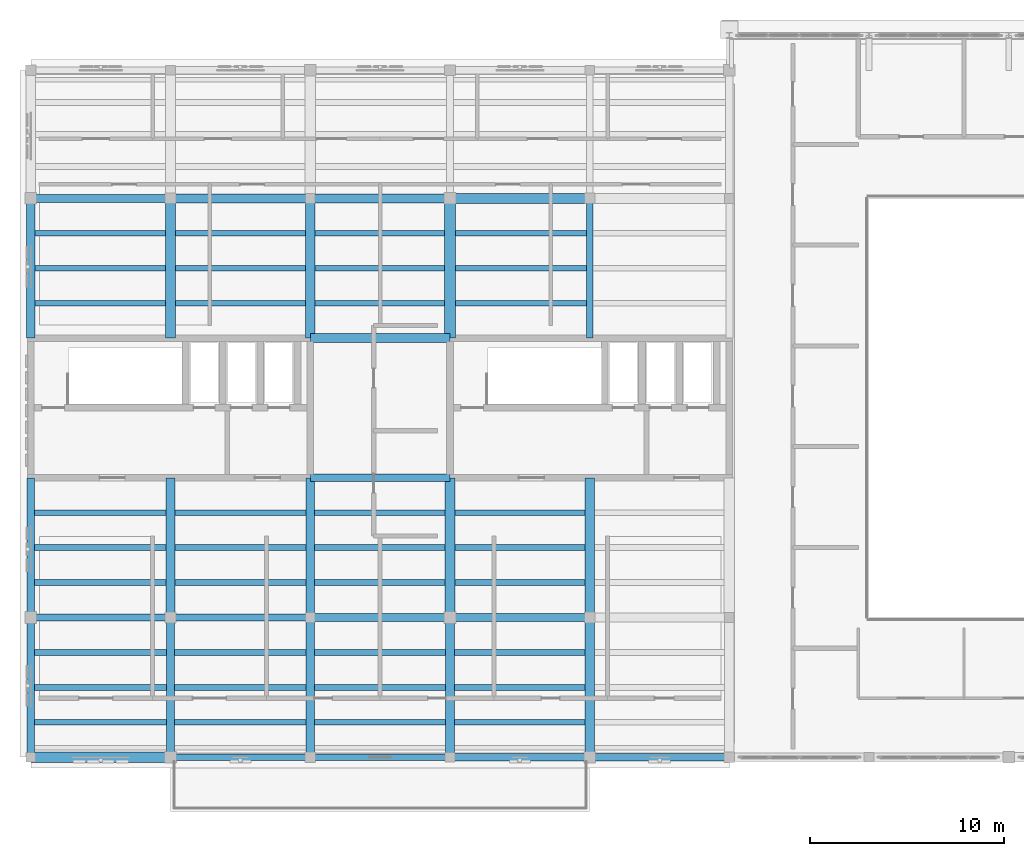
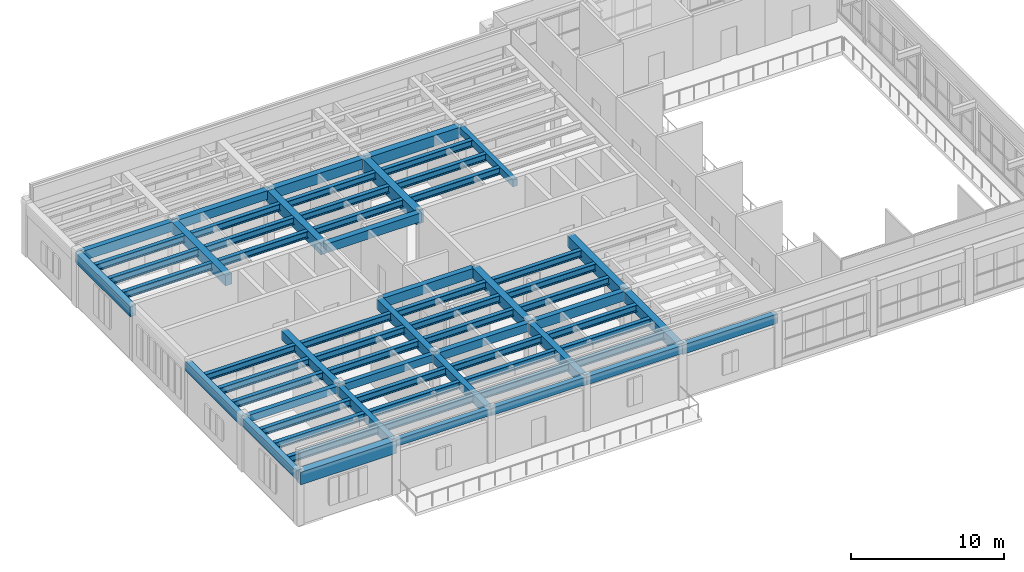
# One storey, part 5 of 18: 66 beams.
"""IFC4 building model written with IfcOpenShell, lengths in metres."""

from ifc_helpers import new_model, si_unit, direction, frame, origin, origin_2d, place, context, subcontext, project, spatial, rectangle, i_section, extrude, material, material_profile, profile_set, type_object, element, save


model = new_model("IFC4")

# Units and contexts
model_context = context("Model", 3, precision=1e-05, world=origin(), true_north=direction((0.0, 1.0)))
body_context = subcontext(model_context, "Body", "Model", "MODEL_VIEW")
ifc_project = project(units=[si_unit("LENGTHUNIT", "METRE"), si_unit("AREAUNIT", "SQUARE_METRE"), si_unit("VOLUMEUNIT", "CUBIC_METRE"), si_unit("PLANEANGLEUNIT", "RADIAN"), si_unit("MASSUNIT", "GRAM", prefix="KILO")], contexts=[model_context])

# Site, building, storey
site_placement = place(None, origin())
site = spatial("IfcSite", under=ifc_project, at=site_placement, CompositionType="ELEMENT")
building_placement = place(site_placement, origin())
building = spatial("IfcBuilding", under=site, at=building_placement, Name="Mithqara Police Headquarters", CompositionType="ELEMENT")
storey_placement = place(building_placement, frame((0.0, 0.0, 30.89990234375)))
storey = spatial("IfcBuildingStorey", under=building, at=storey_placement, Name="L07", CompositionType="ELEMENT", Elevation=30.89990234375)

# Beams
ifc_material_1 = material(Name="Steel S355JR", Category="steel")
ifc_material_profile_1 = material_profile(ifc_material_1, i_section(OverallWidth=0.300048828125, OverallDepth=0.550048828125, WebThickness=0.014892578125, FlangeThickness=0.029052734375, FilletRadius=0.027099609375, at=origin_2d()), Name="HEB 550")
ifc_profile_set_1 = profile_set([ifc_material_profile_1], Name="Steel S355JR")
beam_type_1 = type_object("IfcBeamType", Name="BEAM HEB550", PredefinedType="BEAM", material=ifc_profile_set_1)
for number, where, z_axis, x_axis, name in (
    (1, (108.800048828125, 80.39990234375, 3.97509765625), (1.0, 0.0, 0.0), (0.0, 1.0, 0.0), "L07 Composite Steel Joist 16-17/M.1"),
    (2, (108.800048828125, 82.199951171875, 3.97509765625), (1.0, 0.0, 0.0), (0.0, 1.0, 0.0), "L07 Composite Steel Joist 16-17/M.2"),
    (3, (108.800048828125, 84.0, 3.97509765625), (1.0, 0.0, 0.0), (0.0, 1.0, 0.0), "L07 Composite Steel Joist 16-17/M.3"),
):
    element("IfcBeam", number, at=place(storey_placement, frame(where, z_axis=z_axis, x_axis=x_axis)), inside=storey, type_object=beam_type_1, Name=name, PredefinedType="BEAM", context=body_context, shape_type="SweptSolid", body=[
        extrude(i_section(OverallWidth=0.300048828125, OverallDepth=0.550048828125, WebThickness=0.014892578125, FlangeThickness=0.029052734375, FilletRadius=0.027099609375, at=origin_2d()), origin(), (0.0, 0.0, 1.0), 6.800048828125),
    ])
for number, where, z_axis, x_axis, name in (
    (4, (108.800048828125, 87.60009765625, 3.97509765625), (1.0, 0.0, 0.0), (0.0, 1.0, 0.0), "L07 Composite Steel Joist 16-17/N.1"),
    (5, (108.800048828125, 89.39990234375, 3.97509765625), (1.0, 0.0, 0.0), (0.0, 1.0, 0.0), "L07 Composite Steel Joist 16-17/N.2"),
    (6, (108.800048828125, 91.199951171875, 3.97509765625), (1.0, 0.0, 0.0), (0.0, 1.0, 0.0), "L07 Composite Steel Joist 16-17/N.3"),
):
    element("IfcBeam", number, at=place(storey_placement, frame(where, z_axis=z_axis, x_axis=x_axis)), inside=storey, type_object=beam_type_1, Name=name, PredefinedType="BEAM", context=body_context, shape_type="SweptSolid", body=[
        extrude(i_section(OverallWidth=0.300048828125, OverallDepth=0.550048828125, WebThickness=0.014892578125, FlangeThickness=0.029052734375, FilletRadius=0.027099609375, at=origin_2d()), origin(), (0.0, 0.0, 1.0), 6.77490234375),
    ])
for number, where, z_axis, x_axis, name in (
    (7, (108.824951171875, 102.0, 3.97509765625), (1.0, 0.0, 0.0), (0.0, 1.0, 0.0), "L07 Composite Steel Joist 16-17/Q.1"),
    (8, (108.824951171875, 103.800048828125, 3.97509765625), (1.0, 0.0, 0.0), (0.0, 1.0, 0.0), "L07 Composite Steel Joist 16-17/Q.2"),
    (9, (108.824951171875, 105.60009765625, 3.97509765625), (1.0, 0.0, 0.0), (0.0, 1.0, 0.0), "L07 Composite Steel Joist 16-17/Q.3"),
):
    element("IfcBeam", number, at=place(storey_placement, frame(where, z_axis=z_axis, x_axis=x_axis)), inside=storey, type_object=beam_type_1, Name=name, PredefinedType="BEAM", context=body_context, shape_type="SweptSolid", body=[
        extrude(i_section(OverallWidth=0.300048828125, OverallDepth=0.550048828125, WebThickness=0.014892578125, FlangeThickness=0.029052734375, FilletRadius=0.027099609375, at=origin_2d()), origin(), (0.0, 0.0, 1.0), 6.72509765625),
    ])
for number, where, z_axis, x_axis, name in (
    (10, (116.0, 80.39990234375, 3.97509765625), (1.0, 0.0, 0.0), (0.0, 1.0, 0.0), "L07 Composite Steel Joist 17-18/M.1"),
    (11, (116.0, 82.199951171875, 3.97509765625), (1.0, 0.0, 0.0), (0.0, 1.0, 0.0), "L07 Composite Steel Joist 17-18/M.2"),
    (12, (116.0, 84.0, 3.97509765625), (1.0, 0.0, 0.0), (0.0, 1.0, 0.0), "L07 Composite Steel Joist 17-18/M.3"),
):
    element("IfcBeam", number, at=place(storey_placement, frame(where, z_axis=z_axis, x_axis=x_axis)), inside=storey, type_object=beam_type_1, Name=name, PredefinedType="BEAM", context=body_context, shape_type="SweptSolid", body=[
        extrude(i_section(OverallWidth=0.300048828125, OverallDepth=0.550048828125, WebThickness=0.014892578125, FlangeThickness=0.029052734375, FilletRadius=0.027099609375, at=origin_2d()), origin(), (0.0, 0.0, 1.0), 6.77490234375),
    ])
for number, where, z_axis, x_axis, name in (
    (13, (116.02490234375, 87.60009765625, 3.97509765625), (1.0, 0.0, 0.0), (0.0, 1.0, 0.0), "L07 Composite Steel Joist 17-18/N.1"),
    (14, (116.02490234375, 89.39990234375, 3.97509765625), (1.0, 0.0, 0.0), (0.0, 1.0, 0.0), "L07 Composite Steel Joist 17-18/N.2"),
    (15, (116.02490234375, 91.199951171875, 3.97509765625), (1.0, 0.0, 0.0), (0.0, 1.0, 0.0), "L07 Composite Steel Joist 17-18/N.3"),
):
    element("IfcBeam", number, at=place(storey_placement, frame(where, z_axis=z_axis, x_axis=x_axis)), inside=storey, type_object=beam_type_1, Name=name, PredefinedType="BEAM", context=body_context, shape_type="SweptSolid", body=[
        extrude(i_section(OverallWidth=0.300048828125, OverallDepth=0.550048828125, WebThickness=0.014892578125, FlangeThickness=0.029052734375, FilletRadius=0.027099609375, at=origin_2d()), origin(), (0.0, 0.0, 1.0), 6.75),
    ])
for number, where, z_axis, x_axis, name in (
    (16, (116.050048828125, 102.0, 3.97509765625), (1.0, 0.0, 0.0), (0.0, 1.0, 0.0), "L07 Composite Steel Joist 17-18/Q.1"),
    (17, (116.050048828125, 103.800048828125, 3.97509765625), (1.0, 0.0, 0.0), (0.0, 1.0, 0.0), "L07 Composite Steel Joist 17-18/Q.2"),
    (18, (116.050048828125, 105.60009765625, 3.97509765625), (1.0, 0.0, 0.0), (0.0, 1.0, 0.0), "L07 Composite Steel Joist 17-18/Q.3"),
):
    element("IfcBeam", number, at=place(storey_placement, frame(where, z_axis=z_axis, x_axis=x_axis)), inside=storey, type_object=beam_type_1, Name=name, PredefinedType="BEAM", context=body_context, shape_type="SweptSolid", body=[
        extrude(i_section(OverallWidth=0.300048828125, OverallDepth=0.550048828125, WebThickness=0.014892578125, FlangeThickness=0.029052734375, FilletRadius=0.027099609375, at=origin_2d()), origin(), (0.0, 0.0, 1.0), 6.699951171875),
    ])
for number, where, z_axis, x_axis, name in (
    (19, (123.22509765625, 80.39990234375, 3.97509765625), (1.0, 0.0, 0.0), (0.0, 1.0, 0.0), "L07 Composite Steel Joist 18-19/M.1"),
    (20, (123.22509765625, 82.199951171875, 3.97509765625), (1.0, 0.0, 0.0), (0.0, 1.0, 0.0), "L07 Composite Steel Joist 18-19/M.2"),
    (21, (123.22509765625, 84.0, 3.97509765625), (1.0, 0.0, 0.0), (0.0, 1.0, 0.0), "L07 Composite Steel Joist 18-19/M.3"),
):
    element("IfcBeam", number, at=place(storey_placement, frame(where, z_axis=z_axis, x_axis=x_axis)), inside=storey, type_object=beam_type_1, Name=name, PredefinedType="BEAM", context=body_context, shape_type="SweptSolid", body=[
        extrude(i_section(OverallWidth=0.300048828125, OverallDepth=0.550048828125, WebThickness=0.014892578125, FlangeThickness=0.029052734375, FilletRadius=0.027099609375, at=origin_2d()), origin(), (0.0, 0.0, 1.0), 6.75),
    ])
for number, where, z_axis, x_axis, name in (
    (22, (123.22509765625, 87.60009765625, 3.97509765625), (1.0, 0.0, 0.0), (0.0, 1.0, 0.0), "L07 Composite Steel Joist 18-19/N.1"),
    (23, (123.22509765625, 89.39990234375, 3.97509765625), (1.0, 0.0, 0.0), (0.0, 1.0, 0.0), "L07 Composite Steel Joist 18-19/N.2"),
    (24, (123.22509765625, 91.199951171875, 3.97509765625), (1.0, 0.0, 0.0), (0.0, 1.0, 0.0), "L07 Composite Steel Joist 18-19/N.3"),
):
    element("IfcBeam", number, at=place(storey_placement, frame(where, z_axis=z_axis, x_axis=x_axis)), inside=storey, type_object=beam_type_1, Name=name, PredefinedType="BEAM", context=body_context, shape_type="SweptSolid", body=[
        extrude(i_section(OverallWidth=0.300048828125, OverallDepth=0.550048828125, WebThickness=0.014892578125, FlangeThickness=0.029052734375, FilletRadius=0.027099609375, at=origin_2d()), origin(), (0.0, 0.0, 1.0), 6.724853515625),
    ])
for number, where, z_axis, x_axis, name in (
    (25, (123.25, 102.0, 3.97509765625), (1.0, 0.0, 0.0), (0.0, 1.0, 0.0), "L07 Composite Steel Joist 18-19/Q.1"),
    (26, (123.25, 103.800048828125, 3.97509765625), (1.0, 0.0, 0.0), (0.0, 1.0, 0.0), "L07 Composite Steel Joist 18-19/Q.2"),
    (27, (123.25, 105.60009765625, 3.97509765625), (1.0, 0.0, 0.0), (0.0, 1.0, 0.0), "L07 Composite Steel Joist 18-19/Q.3"),
):
    element("IfcBeam", number, at=place(storey_placement, frame(where, z_axis=z_axis, x_axis=x_axis)), inside=storey, type_object=beam_type_1, Name=name, PredefinedType="BEAM", context=body_context, shape_type="SweptSolid", body=[
        extrude(i_section(OverallWidth=0.300048828125, OverallDepth=0.550048828125, WebThickness=0.014892578125, FlangeThickness=0.029052734375, FilletRadius=0.027099609375, at=origin_2d()), origin(), (0.0, 0.0, 1.0), 6.675048828125),
    ])
for number, where, z_axis, x_axis, name in (
    (28, (130.425048828125, 80.39990234375, 3.97509765625), (1.0, 0.0, 0.0), (0.0, 1.0, 0.0), "L07 Composite Steel Joist 19-20/M.1"),
    (29, (130.425048828125, 82.199951171875, 3.97509765625), (1.0, 0.0, 0.0), (0.0, 1.0, 0.0), "L07 Composite Steel Joist 19-20/M.2"),
    (30, (130.425048828125, 84.0, 3.97509765625), (1.0, 0.0, 0.0), (0.0, 1.0, 0.0), "L07 Composite Steel Joist 19-20/M.3"),
):
    element("IfcBeam", number, at=place(storey_placement, frame(where, z_axis=z_axis, x_axis=x_axis)), inside=storey, type_object=beam_type_1, Name=name, PredefinedType="BEAM", context=body_context, shape_type="SweptSolid", body=[
        extrude(i_section(OverallWidth=0.300048828125, OverallDepth=0.550048828125, WebThickness=0.014892578125, FlangeThickness=0.029052734375, FilletRadius=0.027099609375, at=origin_2d()), origin(), (0.0, 0.0, 1.0), 6.724853515625),
    ])
for number, where, z_axis, x_axis, name in (
    (31, (130.449951171875, 87.60009765625, 3.97509765625), (1.0, 0.0, 0.0), (0.0, 1.0, 0.0), "L07 Composite Steel Joist 19-20/N.1"),
    (32, (130.449951171875, 89.39990234375, 3.97509765625), (1.0, 0.0, 0.0), (0.0, 1.0, 0.0), "L07 Composite Steel Joist 19-20/N.2"),
    (33, (130.449951171875, 91.199951171875, 3.97509765625), (1.0, 0.0, 0.0), (0.0, 1.0, 0.0), "L07 Composite Steel Joist 19-20/N.3"),
):
    element("IfcBeam", number, at=place(storey_placement, frame(where, z_axis=z_axis, x_axis=x_axis)), inside=storey, type_object=beam_type_1, Name=name, PredefinedType="BEAM", context=body_context, shape_type="SweptSolid", body=[
        extrude(i_section(OverallWidth=0.300048828125, OverallDepth=0.550048828125, WebThickness=0.014892578125, FlangeThickness=0.029052734375, FilletRadius=0.027099609375, at=origin_2d()), origin(), (0.0, 0.0, 1.0), 6.699951171875),
    ])
for number, where, z_axis, x_axis, name in (
    (34, (130.47509765625, 102.0, 3.97509765625), (1.0, 0.0, 0.0), (0.0, 1.0, 0.0), "L07 Composite Steel Joist 19-20/Q.1"),
    (35, (130.47509765625, 103.800048828125, 3.97509765625), (1.0, 0.0, 0.0), (0.0, 1.0, 0.0), "L07 Composite Steel Joist 19-20/Q.2"),
    (36, (130.47509765625, 105.60009765625, 3.97509765625), (1.0, 0.0, 0.0), (0.0, 1.0, 0.0), "L07 Composite Steel Joist 19-20/Q.3"),
):
    element("IfcBeam", number, at=place(storey_placement, frame(where, z_axis=z_axis, x_axis=x_axis)), inside=storey, type_object=beam_type_1, Name=name, PredefinedType="BEAM", context=body_context, shape_type="SweptSolid", body=[
        extrude(i_section(OverallWidth=0.300048828125, OverallDepth=0.550048828125, WebThickness=0.014892578125, FlangeThickness=0.029052734375, FilletRadius=0.027099609375, at=origin_2d()), origin(), (0.0, 0.0, 1.0), 6.75),
    ])
ifc_material_2 = material(Name="Concrete C40/50", Category="concrete")
ifc_material_profile_2 = material_profile(ifc_material_2, rectangle(XDim=0.35009765625, YDim=0.550048828125, at=origin_2d()), Name="RC 350x550")
ifc_profile_set_2 = profile_set([ifc_material_profile_2], Name="Concrete C40/50")
beam_type_2 = type_object("IfcBeamType", Name="BEAM RC350X550", PredefinedType="BEAM", material=ifc_profile_set_2)
for number, where, z_axis, x_axis, name in (
    (37, (108.60009765625, 85.800048828125, 3.97509765625), (1.0, 0.0, 0.0), (0.0, 1.0, 0.0), "L07 Girder 16-17/N"),
    (38, (115.800048828125, 78.60009765625, 3.97509765625), (1.0, 0.0, 0.0), (0.0, 1.0, 0.0), "L07 Girder 17-18/M"),
    (39, (137.39990234375, 100.199951171875, 3.97509765625), (0.0, 1.0, 0.0), (-1.0, 0.0, 0.0), "L07 Girder 20/Q-R"),
):
    element("IfcBeam", number, at=place(storey_placement, frame(where, z_axis=z_axis, x_axis=x_axis)), inside=storey, type_object=beam_type_2, Name=name, PredefinedType="BEAM", context=body_context, shape_type="SweptSolid", body=[
        extrude(rectangle(XDim=0.35009765625, YDim=0.550048828125, at=origin_2d()), origin(), (0.0, 0.0, 1.0), 7.199951171875),
    ])
ifc_material_profile_3 = material_profile(ifc_material_2, rectangle(XDim=0.35009765625, YDim=0.60009765625, at=origin_2d()), Name="RC 350x600")
ifc_profile_set_3 = profile_set([ifc_material_profile_3], Name="Concrete C40/50")
beam_type_3 = type_object("IfcBeamType", Name="BEAM RC350X600", PredefinedType="BEAM", material=ifc_profile_set_3)
for number, where, z_axis, x_axis, name in (
    (40, (115.800048828125, 85.800048828125, 3.9501953125), (1.0, 0.0, 0.0), (0.0, 1.0, 0.0), "L07 Girder 17-18/N"),
    (41, (123.0, 78.60009765625, 3.9501953125), (1.0, 0.0, 0.0), (0.0, 1.0, 0.0), "L07 Girder 18-19/M"),
):
    element("IfcBeam", number, at=place(storey_placement, frame(where, z_axis=z_axis, x_axis=x_axis)), inside=storey, type_object=beam_type_3, Name=name, PredefinedType="BEAM", context=body_context, shape_type="SweptSolid", body=[
        extrude(rectangle(XDim=0.35009765625, YDim=0.60009765625, at=origin_2d()), origin(), (0.0, 0.0, 1.0), 7.199951171875),
    ])
ifc_material_profile_4 = material_profile(ifc_material_2, rectangle(XDim=0.39990234375, YDim=0.64990234375, at=origin_2d()), Name="RC 400x650")
ifc_profile_set_4 = profile_set([ifc_material_profile_4], Name="Concrete C40/50")
beam_type_4 = type_object("IfcBeamType", Name="BEAM RC400X650", PredefinedType="BEAM", material=ifc_profile_set_4)
for number, where, z_axis, x_axis, name in (
    (42, (108.60009765625, 78.60009765625, 3.925048828125), (0.0, 1.0, 0.0), (-1.0, 0.0, 0.0), "L07 Girder 16/M-N"),
    (43, (123.0, 85.800048828125, 3.925048828125), (1.0, 0.0, 0.0), (0.0, 1.0, 0.0), "L07 Girder 18-19/N"),
    (44, (130.199951171875, 78.60009765625, 3.925048828125), (1.0, 0.0, 0.0), (0.0, 1.0, 0.0), "L07 Girder 19-20/M"),
):
    element("IfcBeam", number, at=place(storey_placement, frame(where, z_axis=z_axis, x_axis=x_axis)), inside=storey, type_object=beam_type_4, Name=name, PredefinedType="BEAM", context=body_context, shape_type="SweptSolid", body=[
        extrude(rectangle(XDim=0.39990234375, YDim=0.64990234375, at=origin_2d()), origin(), (0.0, 0.0, 1.0), 7.199951171875),
    ])
ifc_material_profile_5 = material_profile(ifc_material_2, rectangle(XDim=0.39990234375, YDim=0.75, at=origin_2d()), Name="RC 400x750")
ifc_profile_set_5 = profile_set([ifc_material_profile_5], Name="Concrete C40/50")
beam_type_5 = type_object("IfcBeamType", Name="BEAM RC400X750", PredefinedType="BEAM", material=ifc_profile_set_5)
for number, where, z_axis, x_axis, name in (
    (45, (108.60009765625, 85.800048828125, 3.875), (0.0, 1.0, 0.0), (-1.0, 0.0, 0.0), "L07 Girder 16/N-P"),
    (46, (108.60009765625, 107.39990234375, 3.875), (1.0, 0.0, 0.0), (0.0, 1.0, 0.0), "L07 Girder 16-17/R"),
    (47, (115.800048828125, 78.60009765625, 3.875), (0.0, 1.0, 0.0), (-1.0, 0.0, 0.0), "L07 Girder 17/M-N"),
    (48, (123.0, 93.0, 3.875), (1.0, 0.0, 0.0), (0.0, 1.0, 0.0), "L07 Girder 18-19/P"),
    (49, (130.199951171875, 85.800048828125, 3.875), (1.0, 0.0, 0.0), (0.0, 1.0, 0.0), "L07 Girder 19-20/N"),
):
    element("IfcBeam", number, at=place(storey_placement, frame(where, z_axis=z_axis, x_axis=x_axis)), inside=storey, type_object=beam_type_5, Name=name, PredefinedType="BEAM", context=body_context, shape_type="SweptSolid", body=[
        extrude(rectangle(XDim=0.39990234375, YDim=0.75, at=origin_2d()), origin(), (0.0, 0.0, 1.0), 7.199951171875),
    ])
beam_placement = place(storey_placement, frame((137.39990234375, 78.60009765625, 3.875), z_axis=(1.0, 0.0, 0.0), x_axis=(0.0, 1.0, 0.0)))
element("IfcBeam", 50, at=beam_placement, inside=storey, type_object=beam_type_5, Name="L07 Girder 20-21/M", PredefinedType="BEAM", context=body_context, shape_type="SweptSolid", body=[
    extrude(rectangle(XDim=0.39990234375, YDim=0.75, at=origin_2d()), origin(), (0.0, 0.0, 1.0), 7.2001953125),
])
ifc_material_profile_6 = material_profile(ifc_material_2, rectangle(XDim=0.449951171875, YDim=0.699951171875, at=origin_2d()), Name="RC 450x700")
ifc_profile_set_6 = profile_set([ifc_material_profile_6], Name="Concrete C40/50")
beam_type_6 = type_object("IfcBeamType", Name="BEAM RC450X700", PredefinedType="BEAM", material=ifc_profile_set_6)
for number, where, z_axis, x_axis, name in (
    (51, (115.800048828125, 85.800048828125, 3.900146484375), (0.0, 1.0, 0.0), (-1.0, 0.0, 0.0), "L07 Girder 17/N-P"),
    (52, (115.800048828125, 107.39990234375, 3.900146484375), (1.0, 0.0, 0.0), (0.0, 1.0, 0.0), "L07 Girder 17-18/R"),
    (53, (123.0, 78.60009765625, 3.900146484375), (0.0, 1.0, 0.0), (-1.0, 0.0, 0.0), "L07 Girder 18/M-N"),
    (54, (123.0, 100.199951171875, 3.900146484375), (1.0, 0.0, 0.0), (0.0, 1.0, 0.0), "L07 Girder 18-19/Q"),
):
    element("IfcBeam", number, at=place(storey_placement, frame(where, z_axis=z_axis, x_axis=x_axis)), inside=storey, type_object=beam_type_6, Name=name, PredefinedType="BEAM", context=body_context, shape_type="SweptSolid", body=[
        extrude(rectangle(XDim=0.449951171875, YDim=0.699951171875, at=origin_2d()), origin(), (0.0, 0.0, 1.0), 7.199951171875),
    ])
ifc_material_profile_7 = material_profile(ifc_material_2, rectangle(XDim=0.449951171875, YDim=0.800048828125, at=origin_2d()), Name="RC 450x800")
ifc_profile_set_7 = profile_set([ifc_material_profile_7], Name="Concrete C40/50")
beam_type_7 = type_object("IfcBeamType", Name="BEAM RC450X800", PredefinedType="BEAM", material=ifc_profile_set_7)
for number, where, z_axis, x_axis, name in (
    (55, (108.60009765625, 100.199951171875, 3.85009765625), (0.0, 1.0, 0.0), (-1.0, 0.0, 0.0), "L07 Girder 16/Q-R"),
    (56, (123.0, 85.800048828125, 3.85009765625), (0.0, 1.0, 0.0), (-1.0, 0.0, 0.0), "L07 Girder 18/N-P"),
    (57, (123.0, 107.39990234375, 3.85009765625), (1.0, 0.0, 0.0), (0.0, 1.0, 0.0), "L07 Girder 18-19/R"),
    (58, (130.199951171875, 78.60009765625, 3.85009765625), (0.0, 1.0, 0.0), (-1.0, 0.0, 0.0), "L07 Girder 19/M-N"),
):
    element("IfcBeam", number, at=place(storey_placement, frame(where, z_axis=z_axis, x_axis=x_axis)), inside=storey, type_object=beam_type_7, Name=name, PredefinedType="BEAM", context=body_context, shape_type="SweptSolid", body=[
        extrude(rectangle(XDim=0.449951171875, YDim=0.800048828125, at=origin_2d()), origin(), (0.0, 0.0, 1.0), 7.199951171875),
    ])
ifc_material_profile_8 = material_profile(ifc_material_2, rectangle(XDim=0.5, YDim=0.85009765625, at=origin_2d()), Name="RC 500x850")
ifc_profile_set_8 = profile_set([ifc_material_profile_8], Name="Concrete C40/50")
beam_type_8 = type_object("IfcBeamType", Name="BEAM RC500X850", PredefinedType="BEAM", material=ifc_profile_set_8)
for number, where, z_axis, x_axis, name in (
    (59, (115.800048828125, 100.199951171875, 3.8251953125), (0.0, 1.0, 0.0), (-1.0, 0.0, 0.0), "L07 Girder 17/Q-R"),
    (60, (130.199951171875, 85.800048828125, 3.8251953125), (0.0, 1.0, 0.0), (-1.0, 0.0, 0.0), "L07 Girder 19/N-P"),
    (61, (130.199951171875, 107.39990234375, 3.8251953125), (1.0, 0.0, 0.0), (0.0, 1.0, 0.0), "L07 Girder 19-20/R"),
    (62, (137.39990234375, 78.60009765625, 3.8251953125), (0.0, 1.0, 0.0), (-1.0, 0.0, 0.0), "L07 Girder 20/M-N"),
):
    element("IfcBeam", number, at=place(storey_placement, frame(where, z_axis=z_axis, x_axis=x_axis)), inside=storey, type_object=beam_type_8, Name=name, PredefinedType="BEAM", context=body_context, shape_type="SweptSolid", body=[
        extrude(rectangle(XDim=0.5, YDim=0.85009765625, at=origin_2d()), origin(), (0.0, 0.0, 1.0), 7.199951171875),
    ])
ifc_material_3 = material(Name="Concrete C50/60", Category="concrete")
ifc_material_profile_9 = material_profile(ifc_material_3, rectangle(XDim=0.5, YDim=0.89990234375, at=origin_2d()), Name="RC 500x900")
ifc_profile_set_9 = profile_set([ifc_material_profile_9], Name="Concrete C50/60")
beam_type_9 = type_object("IfcBeamType", Name="BEAM RC500X900", PredefinedType="BEAM", material=ifc_profile_set_9)
for number, where, z_axis, x_axis, name in (
    (63, (123.0, 100.199951171875, 3.800048828125), (0.0, 1.0, 0.0), (-1.0, 0.0, 0.0), "L07 Girder 18/Q-R"),
    (64, (137.39990234375, 85.800048828125, 3.800048828125), (0.0, 1.0, 0.0), (-1.0, 0.0, 0.0), "L07 Girder 20/N-P"),
):
    element("IfcBeam", number, at=place(storey_placement, frame(where, z_axis=z_axis, x_axis=x_axis)), inside=storey, type_object=beam_type_9, Name=name, PredefinedType="BEAM", context=body_context, shape_type="SweptSolid", body=[
        extrude(rectangle(XDim=0.5, YDim=0.89990234375, at=origin_2d()), origin(), (0.0, 0.0, 1.0), 7.199951171875),
    ])
ifc_material_profile_10 = material_profile(ifc_material_3, rectangle(XDim=0.550048828125, YDim=1.0, at=origin_2d()), Name="RC 550x1000")
ifc_profile_set_10 = profile_set([ifc_material_profile_10], Name="Concrete C50/60")
beam_type_10 = type_object("IfcBeamType", Name="BEAM RC550X1000", PredefinedType="BEAM", material=ifc_profile_set_10)
for number, where, z_axis, x_axis, name in (
    (65, (108.60009765625, 78.60009765625, 3.75), (1.0, 0.0, 0.0), (0.0, 1.0, 0.0), "L07 Girder 16-17/M"),
    (66, (130.199951171875, 100.199951171875, 3.75), (0.0, 1.0, 0.0), (-1.0, 0.0, 0.0), "L07 Girder 19/Q-R"),
):
    element("IfcBeam", number, at=place(storey_placement, frame(where, z_axis=z_axis, x_axis=x_axis)), inside=storey, type_object=beam_type_10, Name=name, PredefinedType="BEAM", context=body_context, shape_type="SweptSolid", body=[
        extrude(rectangle(XDim=0.550048828125, YDim=1.0, at=origin_2d()), origin(), (0.0, 0.0, 1.0), 7.199951171875),
    ])

save(model, "model.ifc")
